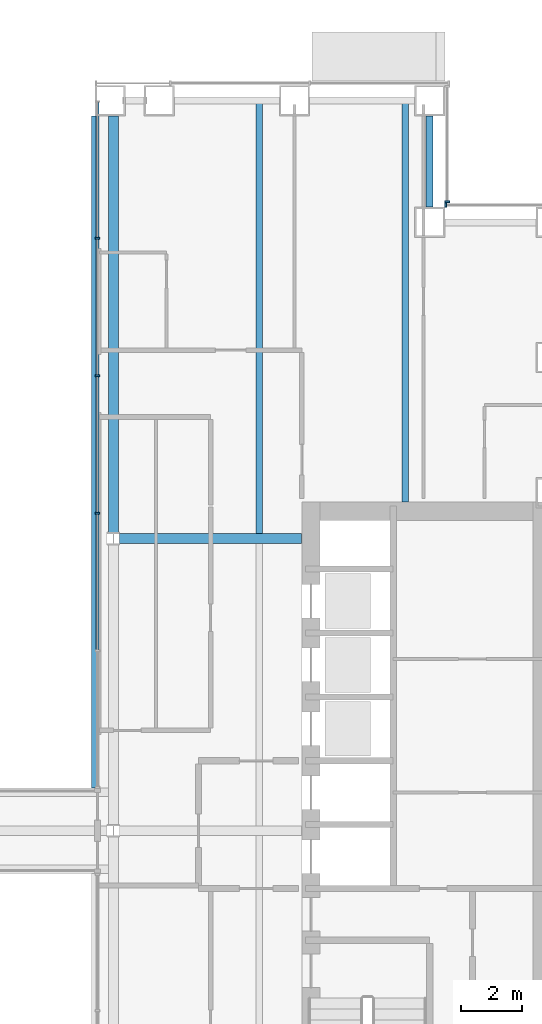
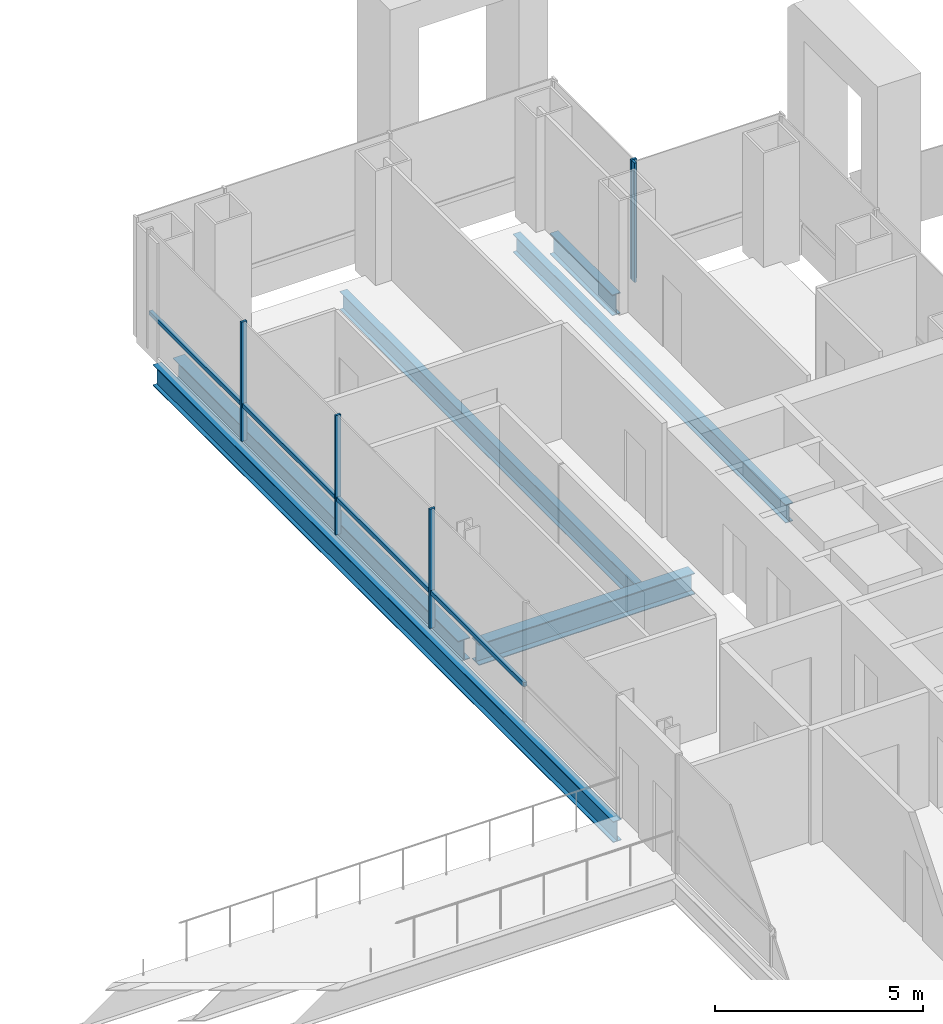
# One storey, part 8 of 26: 9 members, 6 beams, 3 elements without a shape of their own.
"""IFC4 building model written with IfcOpenShell, lengths in metres."""

from ifc_helpers import new_model, si_unit, direction, frame, origin, origin_2d, place, context, subcontext, project, spatial, rectangle, i_section, extrude, material, material_profile, profile_set, type_object, element, aggregate, save


model = new_model("IFC4")

# Units and contexts
model_context = context("Model", 3, precision=1e-05, world=origin(), true_north=direction((0.0, 1.0)))
body_context = subcontext(model_context, "Body", "Model", "MODEL_VIEW")
ifc_project = project(units=[si_unit("LENGTHUNIT", "METRE"), si_unit("AREAUNIT", "SQUARE_METRE"), si_unit("VOLUMEUNIT", "CUBIC_METRE"), si_unit("PLANEANGLEUNIT", "RADIAN"), si_unit("MASSUNIT", "GRAM", prefix="KILO")], contexts=[model_context])

# Site, building, storey
site_placement = place(None, origin())
site = spatial("IfcSite", under=ifc_project, at=site_placement, CompositionType="ELEMENT")
building_placement = place(site_placement, origin())
building = spatial("IfcBuilding", under=site, at=building_placement, Name="Cobrizo Arcos Hotel Tower", CompositionType="ELEMENT")
storey_placement = place(building_placement, frame((0.0, 0.0, 67.0)))
storey = spatial("IfcBuildingStorey", under=building, at=storey_placement, Name="L15", CompositionType="ELEMENT", Elevation=67.0)

# Curtain wall, member
ifc_material_1 = material(Name="Aluminium 6063-T6 anodised bronze", Category="aluminium")
curtain_wall_type_1 = type_object("IfcCurtainWallType", Name="CW-A guest facade", PredefinedType="NOTDEFINED", material=ifc_material_1)
curtain_wall_1_placement = place(storey_placement, origin())
curtain_wall_1 = element("IfcCurtainWall", 1, at=curtain_wall_1_placement, inside=storey, type_object=curtain_wall_type_1, Name="CW-A L15 N face", PredefinedType="NOTDEFINED")
ifc_material_profile_1 = material_profile(ifc_material_1, rectangle(XDim=0.14990234375, YDim=0.06005859375, at=origin_2d()), Name="CW-A mullion 150x60")
ifc_profile_set_1 = profile_set([ifc_material_profile_1], Name="Aluminium 6063-T6 anodised bronze")
member_type_1 = type_object("IfcMemberType", Name="CW-A mullion 150x60", PredefinedType="MULLION", material=ifc_profile_set_1)
member_1_placement = place(storey_placement, frame((20.530029296875, 20.574951171875, 0.0), z_axis=(0.0, 0.0, 1.0), x_axis=(0.0, 1.0, 0.0)))
member_1 = element("IfcMember", 2, at=member_1_placement, type_object=member_type_1, Name="CW-A mullion 2", PredefinedType="MULLION", context=body_context, shape_type="SweptSolid", body=[
    extrude(rectangle(XDim=0.14990234375, YDim=0.06005859375, at=origin_2d()), origin(), (0.0, 0.0, 1.0), 3.5),
])
aggregate(curtain_wall_1, [member_1])

curtain_wall_2_placement = place(storey_placement, origin())
curtain_wall_2 = element("IfcCurtainWall", 3, at=curtain_wall_2_placement, inside=storey, type_object=curtain_wall_type_1, Name="CW-A L15 E face", PredefinedType="NOTDEFINED")
member_2_placement = place(storey_placement, frame((20.574951171875, 20.679931640625, 0.0), z_axis=(0.0, 0.0, 1.0), x_axis=(1.0, 0.0, 0.0)))
member_2 = element("IfcMember", 4, at=member_2_placement, type_object=member_type_1, Name="CW-A mullion 1", PredefinedType="MULLION", context=body_context, shape_type="SweptSolid", body=[
    extrude(rectangle(XDim=0.14990234375, YDim=0.06005859375, at=origin_2d()), origin(), (0.0, 0.0, 1.0), 3.5),
])
aggregate(curtain_wall_2, [member_2])

# Curtain wall, members
curtain_wall_type_2 = type_object("IfcCurtainWallType", Name="CW-F void screen", PredefinedType="NOTDEFINED", material=ifc_material_1)
curtain_wall_3_placement = place(storey_placement, origin())
curtain_wall_3 = element("IfcCurtainWall", 5, at=curtain_wall_3_placement, inside=storey, type_object=curtain_wall_type_2, Name="CW-F L15 void screen A", PredefinedType="NOTDEFINED")
ifc_material_profile_2 = material_profile(ifc_material_1, rectangle(XDim=0.14990234375, YDim=0.06005859375, at=origin_2d()), Name="CW-F mullion 150x60")
ifc_profile_set_2 = profile_set([ifc_material_profile_2], Name="Aluminium 6063-T6 anodised bronze")
member_type_2 = type_object("IfcMemberType", Name="CW-F mullion 150x60", PredefinedType="MULLION", material=ifc_profile_set_2)
member_3_placement = place(storey_placement, frame((9.074951171875, 10.43994140625, 0.0), z_axis=(0.0, 0.0, 1.0), x_axis=(1.0, 0.0, 0.0)))
member_3 = element("IfcMember", 6, at=member_3_placement, type_object=member_type_2, Name="CW-F mullion 3", PredefinedType="MULLION", context=body_context, shape_type="SweptSolid", body=[
    extrude(rectangle(XDim=0.14990234375, YDim=0.06005859375, at=origin_2d()), origin(), (0.0, 0.0, 1.0), 3.5),
])
member_4_placement = place(storey_placement, frame((9.074951171875, 14.9599609375, 0.0), z_axis=(0.0, 0.0, 1.0), x_axis=(1.0, 0.0, 0.0)))
member_4 = element("IfcMember", 7, at=member_4_placement, type_object=member_type_2, Name="CW-F mullion 4", PredefinedType="MULLION", context=body_context, shape_type="SweptSolid", body=[
    extrude(rectangle(XDim=0.14990234375, YDim=0.06005859375, at=origin_2d()), origin(), (0.0, 0.0, 1.0), 3.5),
])
member_5_placement = place(storey_placement, frame((9.074951171875, 19.47998046875, 0.0), z_axis=(0.0, 0.0, 1.0), x_axis=(1.0, 0.0, 0.0)))
member_5 = element("IfcMember", 8, at=member_5_placement, type_object=member_type_2, Name="CW-F mullion 5", PredefinedType="MULLION", context=body_context, shape_type="SweptSolid", body=[
    extrude(rectangle(XDim=0.14990234375, YDim=0.06005859375, at=origin_2d()), origin(), (0.0, 0.0, 1.0), 3.5),
])
ifc_material_profile_3 = material_profile(ifc_material_1, rectangle(XDim=0.10009765625, YDim=0.1201171875, at=origin_2d()), Name="CW-F transom 120x100")
ifc_profile_set_3 = profile_set([ifc_material_profile_3], Name="Aluminium 6063-T6 anodised bronze")
member_type_3 = type_object("IfcMemberType", Name="CW-F transom 120x100", PredefinedType="USERDEFINED", material=ifc_profile_set_3)
member_6_placement = place(storey_placement, frame((9.074951171875, 5.949951171875, 1.050048828125), z_axis=(0.0, 1.0, 0.0), x_axis=(-1.0, 0.0, 0.0)))
member_6 = element("IfcMember", 9, at=member_6_placement, type_object=member_type_3, Name="CW-F transom 2474", ObjectType="TRANSOM", PredefinedType="USERDEFINED", context=body_context, shape_type="SweptSolid", body=[
    extrude(rectangle(XDim=0.10009765625, YDim=0.1201171875, at=origin_2d()), origin(), (0.0, 0.0, 1.0), 4.4599609375),
])
member_7_placement = place(storey_placement, frame((9.074951171875, 10.469970703125, 1.050048828125), z_axis=(0.0, 1.0, 0.0), x_axis=(-1.0, 0.0, 0.0)))
member_7 = element("IfcMember", 10, at=member_7_placement, type_object=member_type_3, Name="CW-F transom 2475", ObjectType="TRANSOM", PredefinedType="USERDEFINED", context=body_context, shape_type="SweptSolid", body=[
    extrude(rectangle(XDim=0.10009765625, YDim=0.1201171875, at=origin_2d()), origin(), (0.0, 0.0, 1.0), 4.4599609375),
])
member_8_placement = place(storey_placement, frame((9.074951171875, 14.989990234375, 1.050048828125), z_axis=(0.0, 1.0, 0.0), x_axis=(-1.0, 0.0, 0.0)))
member_8 = element("IfcMember", 11, at=member_8_placement, type_object=member_type_3, Name="CW-F transom 2476", ObjectType="TRANSOM", PredefinedType="USERDEFINED", context=body_context, shape_type="SweptSolid", body=[
    extrude(rectangle(XDim=0.10009765625, YDim=0.1201171875, at=origin_2d()), origin(), (0.0, 0.0, 1.0), 4.4599609375),
])
member_9_placement = place(storey_placement, frame((9.074951171875, 19.510009765625, 1.050048828125), z_axis=(0.0, 1.0, 0.0), x_axis=(-1.0, 0.0, 0.0)))
member_9 = element("IfcMember", 12, at=member_9_placement, type_object=member_type_3, Name="CW-F transom 2477", ObjectType="TRANSOM", PredefinedType="USERDEFINED", context=body_context, shape_type="SweptSolid", body=[
    extrude(rectangle(XDim=0.10009765625, YDim=0.1201171875, at=origin_2d()), origin(), (0.0, 0.0, 1.0), 4.429931640625),
])
aggregate(curtain_wall_3, [member_3, member_4, member_5, member_6, member_7, member_8, member_9])

# Beams
ifc_material_2 = material(Name="Steel ASTM A992 Grade 50", Category="steel")
ifc_material_profile_4 = material_profile(ifc_material_2, i_section(OverallWidth=0.209228515625, OverallDepth=0.533447265625, WebThickness=0.01025390625, FlangeThickness=0.015625, at=origin_2d()), Name="W21X62")
ifc_profile_set_4 = profile_set([ifc_material_profile_4], Name="Steel ASTM A992 Grade 50")
beam_type_1 = type_object("IfcBeamType", Name="W21X62 joist", PredefinedType="JOIST", material=ifc_profile_set_4)
beam_1_placement = place(storey_placement, frame((14.39990234375, 9.763916015625, -0.416748046875), z_axis=(0.0, 1.0, 0.0), x_axis=(-1.0, 0.0, 0.0)))
element("IfcBeam", 13, at=beam_1_placement, inside=storey, type_object=beam_type_1, Name="Floor joist J1, L15, no. 010", PredefinedType="JOIST", context=body_context, shape_type="SweptSolid", body=[
    extrude(i_section(OverallWidth=0.209228515625, OverallDepth=0.533447265625, WebThickness=0.01025390625, FlangeThickness=0.015625, at=origin_2d()), origin(), (0.0, 0.0, 1.0), 14.14599609375),
])
beam_2_placement = place(storey_placement, frame((19.199951171875, 10.81005859375, -0.416748046875), z_axis=(0.0, 1.0, 0.0), x_axis=(-1.0, 0.0, 0.0)))
element("IfcBeam", 14, at=beam_2_placement, inside=storey, type_object=beam_type_1, Name="Floor joist J1, L15, no. 012", PredefinedType="JOIST", context=body_context, shape_type="SweptSolid", body=[
    extrude(i_section(OverallWidth=0.209228515625, OverallDepth=0.533447265625, WebThickness=0.01025390625, FlangeThickness=0.015625, at=origin_2d()), origin(), (0.0, 0.0, 1.0), 13.099853515625),
])
ifc_material_profile_5 = material_profile(ifc_material_2, i_section(OverallWidth=0.32763671875, OverallDepth=0.622314453125, WebThickness=0.015380859375, FlangeThickness=0.0244140625, at=origin_2d()), Name="W24X131")
ifc_profile_set_5 = profile_set([ifc_material_profile_5], Name="Steel ASTM A992 Grade 50")
beam_type_2 = type_object("IfcBeamType", Name="W24X131 girder", PredefinedType="BEAM", material=ifc_profile_set_5)
beam_3_placement = place(storey_placement, frame((9.804443359375, 9.60009765625, -0.461181640625), z_axis=(1.0, 0.0, 0.0), x_axis=(0.0, 1.0, 0.0)))
element("IfcBeam", 15, at=beam_3_placement, inside=storey, type_object=beam_type_2, Name="Floor girder G1, L15, no. 007", PredefinedType="BEAM", context=body_context, shape_type="SweptSolid", body=[
    extrude(i_section(OverallWidth=0.32763671875, OverallDepth=0.622314453125, WebThickness=0.015380859375, FlangeThickness=0.0244140625, at=origin_2d()), origin(), (0.0, 0.0, 1.0), 5.985595703125),
])
beam_4_placement = place(storey_placement, frame((9.60009765625, 9.804443359375, -0.461181640625), z_axis=(0.0, 1.0, 0.0), x_axis=(-1.0, 0.0, 0.0)))
element("IfcBeam", 16, at=beam_4_placement, inside=storey, type_object=beam_type_2, Name="Floor girder G1, L15, no. 015", PredefinedType="BEAM", context=body_context, shape_type="SweptSolid", body=[
    extrude(i_section(OverallWidth=0.32763671875, OverallDepth=0.622314453125, WebThickness=0.015380859375, FlangeThickness=0.0244140625, at=origin_2d()), origin(), (0.0, 0.0, 1.0), 13.695556640625),
])
ifc_material_profile_6 = material_profile(ifc_material_2, i_section(OverallWidth=0.23046875, OverallDepth=0.6171875, WebThickness=0.01318359375, FlangeThickness=0.022216796875, at=origin_2d()), Name="W24X94")
ifc_profile_set_6 = profile_set([ifc_material_profile_6], Name="Steel ASTM A992 Grade 50")
beam_type_3 = type_object("IfcBeamType", Name="W24X94 spandrel", PredefinedType="SPANDREL", material=ifc_profile_set_6)
beam_5_placement = place(storey_placement, frame((9.0, 1.39990234375, -0.45849609375), z_axis=(0.0, 1.0, 0.0), x_axis=(-1.0, 0.0, 0.0)))
element("IfcBeam", 17, at=beam_5_placement, inside=storey, type_object=beam_type_3, Name="Spandrel beam W24X94, L15, no. 028", PredefinedType="SPANDREL", context=body_context, shape_type="SweptSolid", body=[
    extrude(i_section(OverallWidth=0.23046875, OverallDepth=0.6171875, WebThickness=0.01318359375, FlangeThickness=0.022216796875, at=origin_2d()), origin(), (0.0, 0.0, 1.0), 22.10009765625),
])
beam_6_placement = place(storey_placement, frame((20.0, 23.5, -0.45849609375), z_axis=(0.0, -1.0, 0.0), x_axis=(1.0, 0.0, 0.0)))
element("IfcBeam", 18, at=beam_6_placement, inside=storey, type_object=beam_type_3, Name="Spandrel beam W24X94, L15, no. 032", PredefinedType="SPANDREL", context=body_context, shape_type="SweptSolid", body=[
    extrude(i_section(OverallWidth=0.23046875, OverallDepth=0.6171875, WebThickness=0.01318359375, FlangeThickness=0.022216796875, at=origin_2d()), origin(), (0.0, 0.0, 1.0), 3.0),
])

save(model, "model.ifc")
